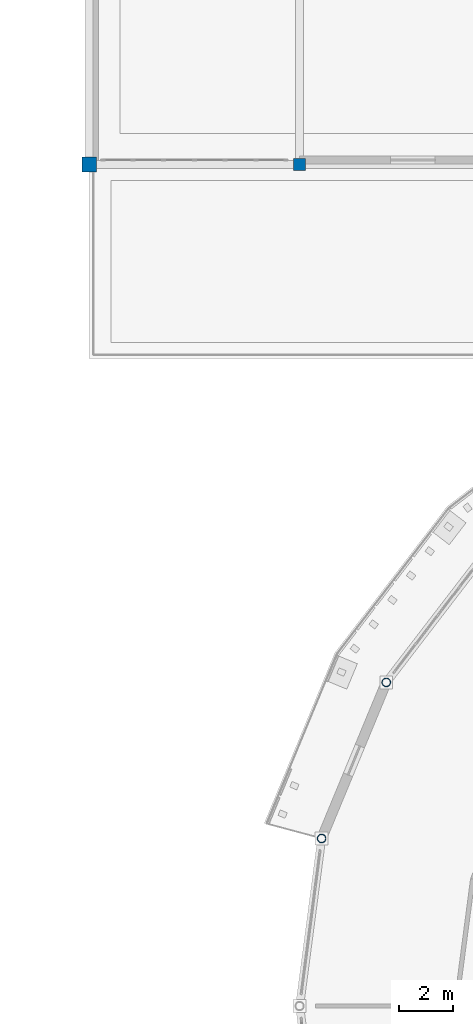
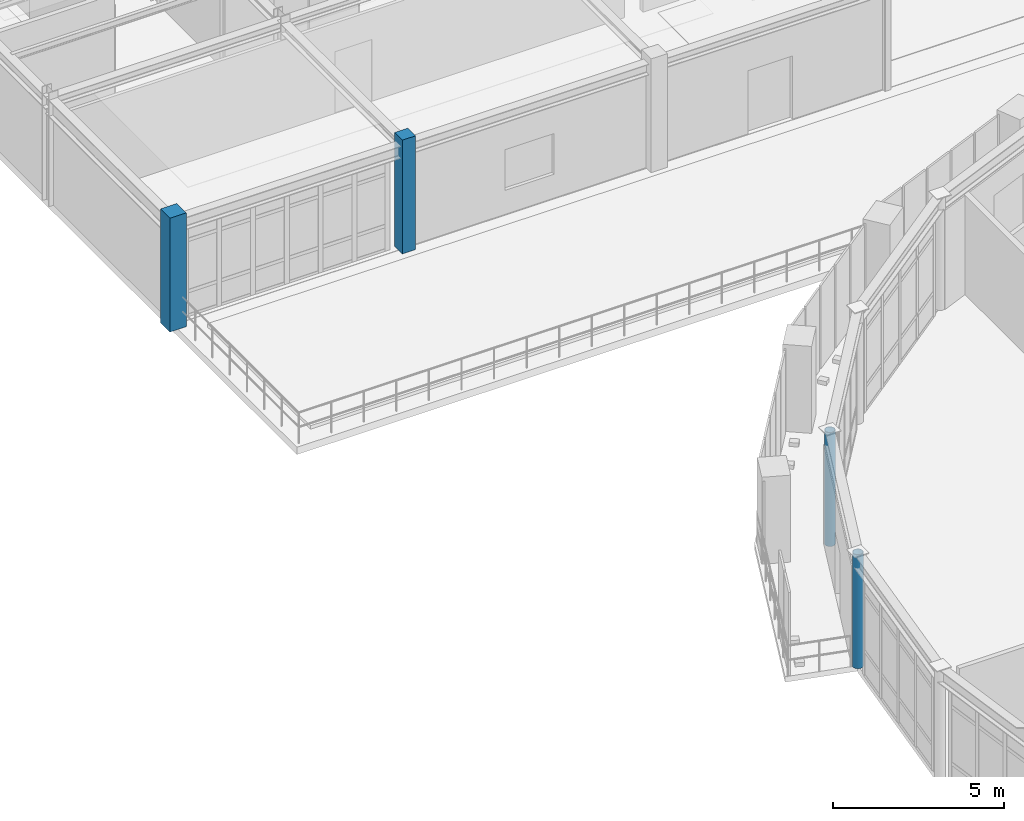
# One storey, part 4 of 58: 4 columns.
"""IFC4 building model written with IfcOpenShell, lengths in metres."""

from ifc_helpers import new_model, si_unit, derived_unit, direction, frame, origin, origin_2d, place, context, subcontext, project, spatial, rectangle, hollow_circle, extrude, material, material_profile, profile_set, type_object, element, save


model = new_model("IFC4")

# Units and contexts
model_context = context("Model", 3, precision=1e-05, world=origin(), true_north=direction((0.0, 1.0)))
body_context = subcontext(model_context, "Body", "Model", "MODEL_VIEW")
ifc_project = project(units=[si_unit("LENGTHUNIT", "METRE"), si_unit("AREAUNIT", "SQUARE_METRE"), si_unit("VOLUMEUNIT", "CUBIC_METRE"), si_unit("PLANEANGLEUNIT", "RADIAN"), si_unit("MASSUNIT", "GRAM", prefix="KILO"), derived_unit("THERMALTRANSMITTANCEUNIT", [(si_unit("POWERUNIT", "WATT"), 1), (si_unit("AREAUNIT", "SQUARE_METRE"), -1), (si_unit("THERMODYNAMICTEMPERATUREUNIT", "KELVIN"), -1)])], contexts=[model_context])

# Site, building, storey
site_placement = place(None, origin())
site = spatial("IfcSite", under=ifc_project, at=site_placement, CompositionType="ELEMENT")
building_placement = place(site_placement, origin())
building = spatial("IfcBuilding", under=site, at=building_placement, Name="Yasenodar Specialist Clinic", CompositionType="ELEMENT")
storey_placement = place(building_placement, frame((0.0, 0.0, 17.25)))
storey = spatial("IfcBuildingStorey", under=building, at=storey_placement, Name="L04", CompositionType="ELEMENT", Elevation=17.25)

# Columns
ifc_material_1 = material(Name="Concrete C35/45", Category="concrete")
ifc_material_profile_1 = material_profile(ifc_material_1, rectangle(XDim=0.449951171875, YDim=0.449951171875, at=origin_2d()), Name="RC 450x450")
ifc_profile_set_1 = profile_set([ifc_material_profile_1], Name="Concrete C35/45")
column_type_1 = type_object("IfcColumnType", Name="COL-RC-450", PredefinedType="COLUMN", material=ifc_profile_set_1)
column_1_placement = place(storey_placement, frame((57.0, 90.0, 0.0), z_axis=(0.0, 0.0, 1.0), x_axis=(1.0, 0.0, 0.0)))
element("IfcColumn", 1, at=column_1_placement, inside=storey, type_object=column_type_1, Name="L04 Column V5-089", PredefinedType="COLUMN", context=body_context, shape_type="SweptSolid", body=[
    extrude(rectangle(XDim=0.449951171875, YDim=0.449951171875, at=origin_2d()), origin(), (0.0, 0.0, 1.0), 4.050048828125),
])
ifc_material_profile_2 = material_profile(ifc_material_1, rectangle(XDim=0.550048828125, YDim=0.550048828125, at=origin_2d()), Name="RC 550x550")
ifc_profile_set_2 = profile_set([ifc_material_profile_2], Name="Concrete C35/45")
column_type_2 = type_object("IfcColumnType", Name="COL-RC-550", PredefinedType="COLUMN", material=ifc_profile_set_2)
column_2_placement = place(storey_placement, frame((49.199951171875, 90.0, 0.0), z_axis=(0.0, 0.0, 1.0), x_axis=(1.0, 0.0, 0.0)))
element("IfcColumn", 2, at=column_2_placement, inside=storey, type_object=column_type_2, Name="L04 Column V5-082", PredefinedType="COLUMN", context=body_context, shape_type="SweptSolid", body=[
    extrude(rectangle(XDim=0.550048828125, YDim=0.550048828125, at=origin_2d()), origin(), (0.0, 0.0, 1.0), 4.050048828125),
])
ifc_material_2 = material(Name="Steel S355", Category="steel")
ifc_material_profile_3 = material_profile(ifc_material_2, hollow_circle(Radius=0.161865234375, WallThickness=0.01611328125, at=origin_2d()), Name="CHS 323.9x16")
ifc_profile_set_3 = profile_set([ifc_material_profile_3], Name="Steel S355")
column_type_3 = type_object("IfcColumnType", Name="COL-ST-CHS324", PredefinedType="COLUMN", material=ifc_profile_set_3)
for number, where, z_axis, x_axis, name in (
    (3, (60.21533203125, 70.800048828125, 0.0), (0.0, 0.0, 1.0), (1.0, 0.0, 0.0), "L04 Drum V1 Outer Column 11"),
    (4, (57.81787109375, 65.01171875, 0.0), (0.0, 0.0, 1.0), (1.0, 0.0, 0.0), "L04 Drum V1 Outer Column 12"),
):
    element("IfcColumn", number, at=place(storey_placement, frame(where, z_axis=z_axis, x_axis=x_axis)), inside=storey, type_object=column_type_3, Name=name, PredefinedType="COLUMN", context=body_context, shape_type="SweptSolid", body=[
        extrude(hollow_circle(Radius=0.161865234375, WallThickness=0.01611328125, at=origin_2d()), origin(), (0.0, 0.0, 1.0), 4.050048828125),
    ])

save(model, "model.ifc")
